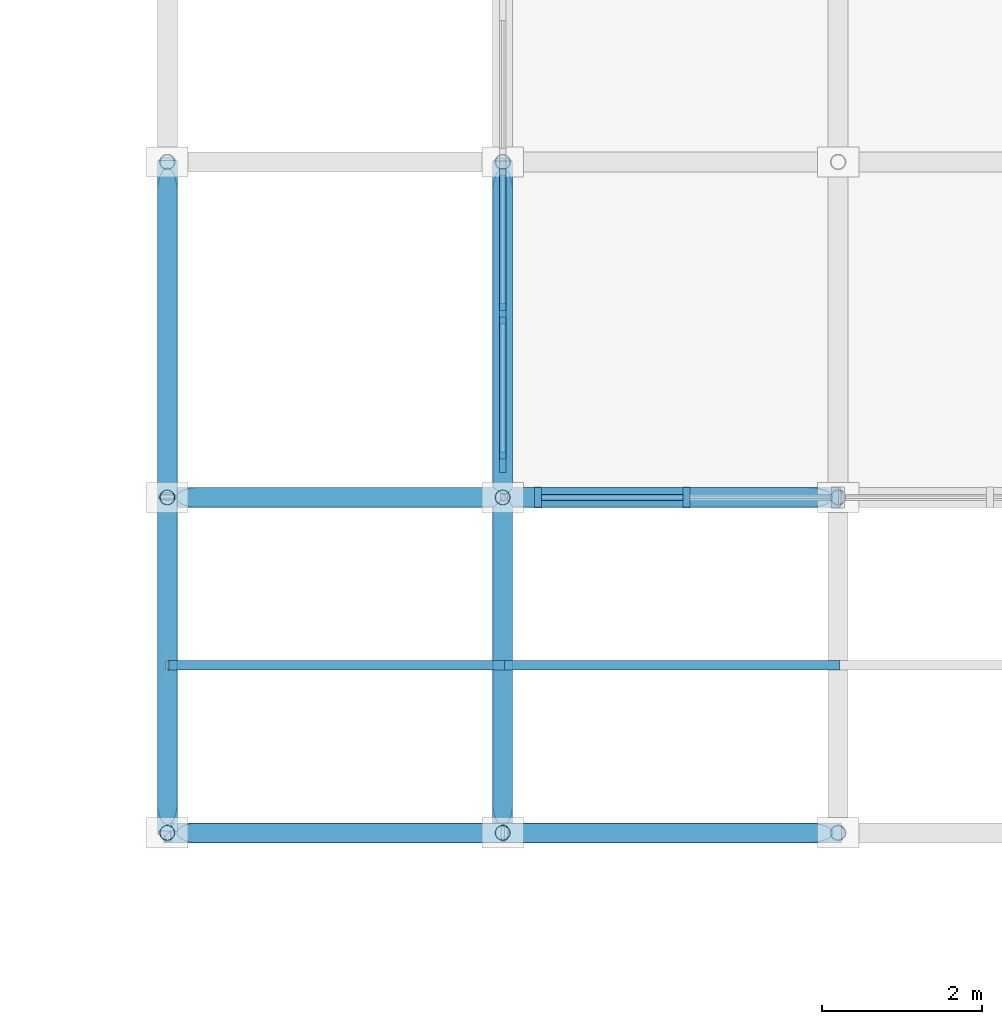
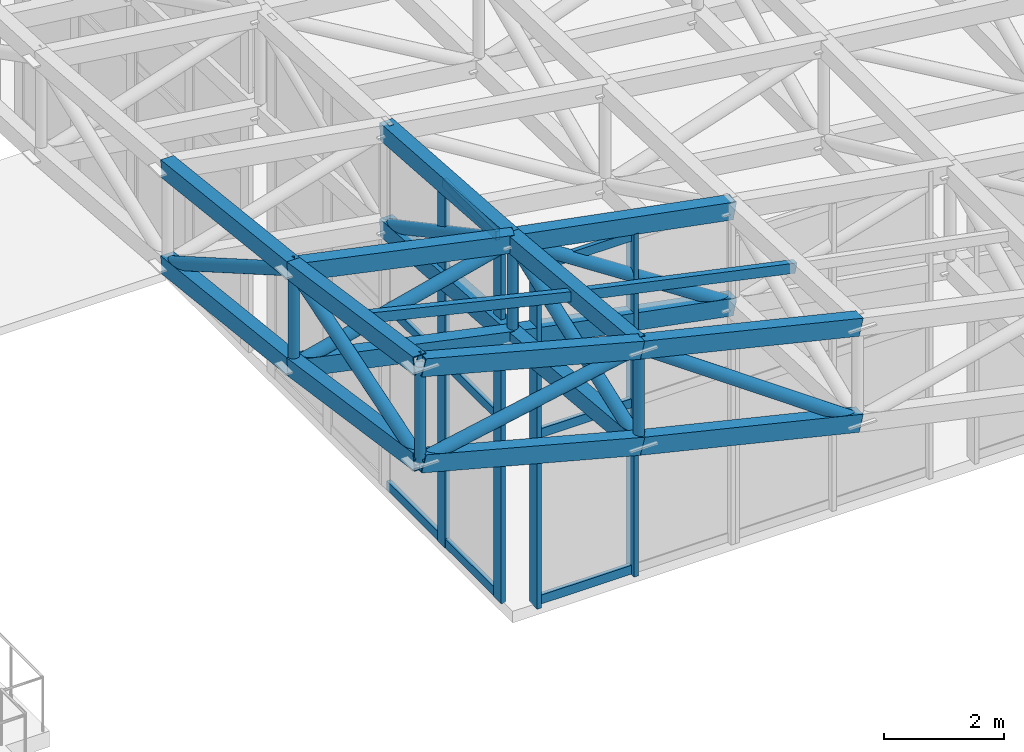
# One storey, part 19 of 111: 43 members, 2 elements without a shape of their own.
"""IFC4 building model written with IfcOpenShell, lengths in metres."""

from ifc_helpers import new_model, si_unit, direction, frame, origin, origin_2d, place, context, subcontext, project, spatial, rectangle, hollow_rectangle, hollow_circle, extrude, material, material_profile, profile_set, type_object, element, aggregate, save


model = new_model("IFC4")

# Units and contexts
model_context = context("Model", 3, precision=1e-05, world=origin(), true_north=direction((0.0, 1.0)))
body_context = subcontext(model_context, "Body", "Model", "MODEL_VIEW")
ifc_project = project(units=[si_unit("LENGTHUNIT", "METRE"), si_unit("AREAUNIT", "SQUARE_METRE"), si_unit("VOLUMEUNIT", "CUBIC_METRE"), si_unit("PLANEANGLEUNIT", "RADIAN"), si_unit("MASSUNIT", "GRAM", prefix="KILO")], contexts=[model_context])

# Site, building, storey
site_placement = place(None, origin())
site = spatial("IfcSite", under=ifc_project, at=site_placement, CompositionType="ELEMENT")
building_placement = place(site_placement, origin())
building = spatial("IfcBuilding", under=site, at=building_placement, Name="Cumbredor Promenade Congress Hotel", CompositionType="ELEMENT")
storey_placement = place(building_placement, frame((0.0, 0.0, 15.1201171875)))
storey = spatial("IfcBuildingStorey", under=building, at=storey_placement, Name="L04", CompositionType="ELEMENT", Elevation=15.1201171875)

# Curtain wall, members
ifc_material_1 = material(Name="Thermally broken anodized aluminium and low-E glass", Category="aluminium")
curtain_wall_type = type_object("IfcCurtainWallType", Name="Stepped Pavilion Clerestory Curtain Wall CW-06", PredefinedType="NOTDEFINED", material=ifc_material_1)
curtain_wall_1_placement = place(storey_placement, origin())
curtain_wall_1 = element("IfcCurtainWall", 1, at=curtain_wall_1_placement, inside=storey, type_object=curtain_wall_type, Name="Pre-Function and Breakout Meeting Forum S Glazed Clerestory 1", PredefinedType="NOTDEFINED")
ifc_material_2 = material(Name="Thermally broken anodized aluminium", Category="aluminium")
ifc_material_profile_1 = material_profile(ifc_material_2, rectangle(XDim=0.0849609375, YDim=0.260009765625, at=origin_2d()), Name="ALU MULLION CLERESTORY 85x260")
ifc_profile_set_1 = profile_set([ifc_material_profile_1], Name="Thermally broken anodized aluminium")
member_type_1 = type_object("IfcMemberType", Name="Curtain Wall Mullion ML-04", PredefinedType="MULLION", material=ifc_profile_set_1)
member_1_placement = place(storey_placement, frame((92.840087890625, 84.0, -0.01806640625), z_axis=(0.0, 0.0, 1.0), x_axis=(1.0, 0.0, 0.0)))
member_1 = element("IfcMember", 2, at=member_1_placement, type_object=member_type_1, Name="Pre-Function and Breakout Meeting Forum S Glazed Clerestory 1 Mullion 1", PredefinedType="MULLION", context=body_context, shape_type="SweptSolid", body=[
    extrude(rectangle(XDim=0.0849609375, YDim=0.260009765625, at=origin_2d()), origin(), (0.0, 0.0, 1.0), 6.959228515625),
])
member_2_placement = place(storey_placement, frame((94.699951171875, 84.0, -0.01806640625), z_axis=(0.0, 0.0, 1.0), x_axis=(1.0, 0.0, 0.0)))
member_2 = element("IfcMember", 3, at=member_2_placement, type_object=member_type_1, Name="Pre-Function and Breakout Meeting Forum S Glazed Clerestory 1 Mullion 2", PredefinedType="MULLION", context=body_context, shape_type="SweptSolid", body=[
    extrude(rectangle(XDim=0.0849609375, YDim=0.260009765625, at=origin_2d()), origin(), (0.0, 0.0, 1.0), 6.959228515625),
])

curtain_wall_2_placement = place(storey_placement, origin())
curtain_wall_2 = element("IfcCurtainWall", 4, at=curtain_wall_2_placement, inside=storey, type_object=curtain_wall_type, Name="Pre-Function and Breakout Meeting Forum W Glazed Clerestory 1", PredefinedType="NOTDEFINED")
member_3_placement = place(storey_placement, frame((92.39990234375, 84.43994140625, -0.01806640625), z_axis=(0.0, 0.0, 1.0), x_axis=(1.0, 0.0, 0.0)))
member_3 = element("IfcMember", 5, at=member_3_placement, type_object=member_type_1, Name="Pre-Function and Breakout Meeting Forum W Glazed Clerestory 1 Mullion 1", PredefinedType="MULLION", context=body_context, shape_type="SweptSolid", body=[
    extrude(rectangle(XDim=0.0849609375, YDim=0.260009765625, at=origin_2d()), origin(), (0.0, 0.0, 1.0), 7.4609375),
])
member_4_placement = place(storey_placement, frame((92.39990234375, 86.300048828125, -0.01806640625), z_axis=(0.0, 0.0, 1.0), x_axis=(1.0, 0.0, 0.0)))
member_4 = element("IfcMember", 6, at=member_4_placement, type_object=member_type_1, Name="Pre-Function and Breakout Meeting Forum W Glazed Clerestory 1 Mullion 2", PredefinedType="MULLION", context=body_context, shape_type="SweptSolid", body=[
    extrude(rectangle(XDim=0.0849609375, YDim=0.260009765625, at=origin_2d()), origin(), (0.0, 0.0, 1.0), 7.4609375),
])

# Member
ifc_material_profile_2 = material_profile(ifc_material_2, rectangle(XDim=0.080078125, YDim=0.179931640625, at=origin_2d()), Name="ALU TRANSOM 80x180")
ifc_profile_set_2 = profile_set([ifc_material_profile_2], Name="Thermally broken anodized aluminium")
member_type_2 = type_object("IfcMemberType", Name="Curtain Wall Transom TR-03", PredefinedType="USERDEFINED", material=ifc_profile_set_2)
member_5_placement = place(storey_placement, frame((92.882568359375, 84.0, 0.079833984375), z_axis=(1.0, 0.0, 0.0), x_axis=(0.0, 1.0, 0.0)))
member_5 = element("IfcMember", 7, at=member_5_placement, type_object=member_type_2, Name="Pre-Function and Breakout Meeting Forum S Glazed Clerestory 1 Transom 1.1", ObjectType="TRANSOM", PredefinedType="USERDEFINED", context=body_context, shape_type="SweptSolid", body=[
    extrude(rectangle(XDim=0.080078125, YDim=0.179931640625, at=origin_2d()), origin(), (0.0, 0.0, 1.0), 1.77490234375),
])

member_6_placement = place(storey_placement, frame((92.882568359375, 84.0, 3.4599609375), z_axis=(1.0, 0.0, 0.0), x_axis=(0.0, 1.0, 0.0)))
member_6 = element("IfcMember", 8, at=member_6_placement, type_object=member_type_2, Name="Pre-Function and Breakout Meeting Forum S Glazed Clerestory 1 Transom 1.2", ObjectType="TRANSOM", PredefinedType="USERDEFINED", context=body_context, shape_type="SweptSolid", body=[
    extrude(rectangle(XDim=0.080078125, YDim=0.179931640625, at=origin_2d()), origin(), (0.0, 0.0, 1.0), 1.77490234375),
])

member_7_placement = place(storey_placement, frame((92.882568359375, 84.0, 6.83984375), z_axis=(1.0, 0.0, 0.0), x_axis=(0.0, 1.0, 0.0)))
member_7 = element("IfcMember", 9, at=member_7_placement, type_object=member_type_2, Name="Pre-Function and Breakout Meeting Forum S Glazed Clerestory 1 Transom 1.3", ObjectType="TRANSOM", PredefinedType="USERDEFINED", context=body_context, shape_type="SweptSolid", body=[
    extrude(rectangle(XDim=0.080078125, YDim=0.179931640625, at=origin_2d()), origin(), (0.0, 0.0, 1.0), 1.77490234375),
])

aggregate(curtain_wall_1, [member_1, member_2, member_5, member_6, member_7])

member_8_placement = place(storey_placement, frame((92.39990234375, 84.482421875, 0.079833984375), z_axis=(0.0, 1.0, 0.0), x_axis=(-1.0, 0.0, 0.0)))
member_8 = element("IfcMember", 10, at=member_8_placement, type_object=member_type_2, Name="Pre-Function and Breakout Meeting Forum W Glazed Clerestory 1 Transom 1.1", ObjectType="TRANSOM", PredefinedType="USERDEFINED", context=body_context, shape_type="SweptSolid", body=[
    extrude(rectangle(XDim=0.080078125, YDim=0.179931640625, at=origin_2d()), origin(), (0.0, 0.0, 1.0), 1.775146484375),
])

member_9_placement = place(storey_placement, frame((92.39990234375, 84.482421875, 3.7099609375), z_axis=(0.0, 1.0, 0.0), x_axis=(-1.0, 0.0, 0.0)))
member_9 = element("IfcMember", 11, at=member_9_placement, type_object=member_type_2, Name="Pre-Function and Breakout Meeting Forum W Glazed Clerestory 1 Transom 1.2", ObjectType="TRANSOM", PredefinedType="USERDEFINED", context=body_context, shape_type="SweptSolid", body=[
    extrude(rectangle(XDim=0.080078125, YDim=0.179931640625, at=origin_2d()), origin(), (0.0, 0.0, 1.0), 1.775146484375),
])

member_10_placement = place(storey_placement, frame((92.39990234375, 84.482421875, 7.33984375), z_axis=(0.0, 1.0, 0.0), x_axis=(-1.0, 0.0, 0.0)))
member_10 = element("IfcMember", 12, at=member_10_placement, type_object=member_type_2, Name="Pre-Function and Breakout Meeting Forum W Glazed Clerestory 1 Transom 1.3", ObjectType="TRANSOM", PredefinedType="USERDEFINED", context=body_context, shape_type="SweptSolid", body=[
    extrude(rectangle(XDim=0.080078125, YDim=0.179931640625, at=origin_2d()), origin(), (0.0, 0.0, 1.0), 1.775146484375),
])

member_11_placement = place(storey_placement, frame((92.39990234375, 86.342529296875, 0.079833984375), z_axis=(0.0, 1.0, 0.0), x_axis=(-1.0, 0.0, 0.0)))
member_11 = element("IfcMember", 13, at=member_11_placement, type_object=member_type_2, Name="Pre-Function and Breakout Meeting Forum W Glazed Clerestory 1 Transom 2.1", ObjectType="TRANSOM", PredefinedType="USERDEFINED", context=body_context, shape_type="SweptSolid", body=[
    extrude(rectangle(XDim=0.080078125, YDim=0.179931640625, at=origin_2d()), origin(), (0.0, 0.0, 1.0), 1.77490234375),
])

member_12_placement = place(storey_placement, frame((92.39990234375, 86.342529296875, 3.7099609375), z_axis=(0.0, 1.0, 0.0), x_axis=(-1.0, 0.0, 0.0)))
member_12 = element("IfcMember", 14, at=member_12_placement, type_object=member_type_2, Name="Pre-Function and Breakout Meeting Forum W Glazed Clerestory 1 Transom 2.2", ObjectType="TRANSOM", PredefinedType="USERDEFINED", context=body_context, shape_type="SweptSolid", body=[
    extrude(rectangle(XDim=0.080078125, YDim=0.179931640625, at=origin_2d()), origin(), (0.0, 0.0, 1.0), 1.77490234375),
])

member_13_placement = place(storey_placement, frame((92.39990234375, 86.342529296875, 7.33984375), z_axis=(0.0, 1.0, 0.0), x_axis=(-1.0, 0.0, 0.0)))
member_13 = element("IfcMember", 15, at=member_13_placement, type_object=member_type_2, Name="Pre-Function and Breakout Meeting Forum W Glazed Clerestory 1 Transom 2.3", ObjectType="TRANSOM", PredefinedType="USERDEFINED", context=body_context, shape_type="SweptSolid", body=[
    extrude(rectangle(XDim=0.080078125, YDim=0.179931640625, at=origin_2d()), origin(), (0.0, 0.0, 1.0), 1.77490234375),
])

aggregate(curtain_wall_2, [member_3, member_4, member_8, member_9, member_10, member_11, member_12, member_13])

# Members
ifc_material_3 = material(Name="Steel ASTM A500 Grade C", Category="steel")
ifc_material_profile_3 = material_profile(ifc_material_3, hollow_rectangle(XDim=0.25, YDim=0.35009765625, WallThickness=0.01611328125, at=origin_2d()), Name="HSS 350x250x16")
ifc_profile_set_3 = profile_set([ifc_material_profile_3], Name="Steel ASTM A500 Grade C")
member_type_3 = type_object("IfcMemberType", Name="Forum Roof Truss Chord", PredefinedType="CHORD", material=ifc_profile_set_3)
for number, where, z_axis, x_axis, name in (
    (16, (88.199951171875, 79.800048828125, 9.037353515625), (0.966757134539, 0.0, -0.255696387964), (0.0, 1.0, 0.0), "Pre-Function and Breakout Meeting Forum X Top Chord 1.1"),
    (17, (88.199951171875, 79.800048828125, 7.08740234375), (0.966757134539, 0.0, -0.255696387964), (0.0, 1.0, 0.0), "Pre-Function and Breakout Meeting Forum X Bottom Chord 1.1"),
):
    element("IfcMember", number, at=place(storey_placement, frame(where, z_axis=z_axis, x_axis=x_axis)), inside=storey, type_object=member_type_3, Name=name, PredefinedType="CHORD", context=body_context, shape_type="SweptSolid", body=[
        extrude(hollow_rectangle(XDim=0.25, YDim=0.35009765625, WallThickness=0.01611328125, at=origin_2d()), origin(), (0.0, 0.0, 1.0), 4.344482421875),
    ])
for number, where, z_axis, x_axis, name in (
    (18, (92.39990234375, 79.800048828125, 7.926513671875), (0.972668339164, 0.0, -0.232198841487), (0.0, 1.0, 0.0), "Pre-Function and Breakout Meeting Forum X Top Chord 2.1"),
    (19, (92.39990234375, 79.800048828125, 5.9765625), (0.972668339164, 0.0, -0.232198841487), (0.0, 1.0, 0.0), "Pre-Function and Breakout Meeting Forum X Bottom Chord 2.1"),
):
    element("IfcMember", number, at=place(storey_placement, frame(where, z_axis=z_axis, x_axis=x_axis)), inside=storey, type_object=member_type_3, Name=name, PredefinedType="CHORD", context=body_context, shape_type="SweptSolid", body=[
        extrude(hollow_rectangle(XDim=0.25, YDim=0.35009765625, WallThickness=0.01611328125, at=origin_2d()), origin(), (0.0, 0.0, 1.0), 4.318115234375),
    ])
for number, where, z_axis, x_axis, name in (
    (20, (88.199951171875, 84.0, 8.4267578125), (0.978408349995, 0.0, -0.206681157001), (0.0, 1.0, 0.0), "Pre-Function and Breakout Meeting Forum X Top Chord 1.2"),
    (21, (88.199951171875, 84.0, 6.476806640625), (0.978408349995, 0.0, -0.206681157001), (0.0, 1.0, 0.0), "Pre-Function and Breakout Meeting Forum X Bottom Chord 1.2"),
):
    element("IfcMember", number, at=place(storey_placement, frame(where, z_axis=z_axis, x_axis=x_axis)), inside=storey, type_object=member_type_3, Name=name, PredefinedType="CHORD", context=body_context, shape_type="SweptSolid", body=[
        extrude(hollow_rectangle(XDim=0.25, YDim=0.35009765625, WallThickness=0.01611328125, at=origin_2d()), origin(), (0.0, 0.0, 1.0), 4.292724609375),
    ])
for number, where, z_axis, x_axis, name in (
    (22, (92.39990234375, 84.0, 7.53955078125), (0.982369540052, 0.0, -0.186949423049), (0.0, 1.0, 0.0), "Pre-Function and Breakout Meeting Forum X Top Chord 2.2"),
    (23, (92.39990234375, 84.0, 5.589599609375), (0.982369540052, 0.0, -0.186949423049), (0.0, 1.0, 0.0), "Pre-Function and Breakout Meeting Forum X Bottom Chord 2.2"),
):
    element("IfcMember", number, at=place(storey_placement, frame(where, z_axis=z_axis, x_axis=x_axis)), inside=storey, type_object=member_type_3, Name=name, PredefinedType="CHORD", context=body_context, shape_type="SweptSolid", body=[
        extrude(hollow_rectangle(XDim=0.25, YDim=0.35009765625, WallThickness=0.01611328125, at=origin_2d()), origin(), (0.0, 0.0, 1.0), 4.275634765625),
    ])
for number, where, z_axis, x_axis, name in (
    (24, (88.199951171875, 79.800048828125, 9.037353515625), (0.0, 0.989596716338, -0.143869173258), (-1.0, 0.0, 0.0), "Pre-Function and Breakout Meeting Forum Y Top Chord 1.1"),
    (25, (88.199951171875, 79.800048828125, 7.08740234375), (0.0, 0.989596716338, -0.143869173258), (-1.0, 0.0, 0.0), "Pre-Function and Breakout Meeting Forum Y Bottom Chord 1.1"),
):
    element("IfcMember", number, at=place(storey_placement, frame(where, z_axis=z_axis, x_axis=x_axis)), inside=storey, type_object=member_type_3, Name=name, PredefinedType="CHORD", context=body_context, shape_type="SweptSolid", body=[
        extrude(hollow_rectangle(XDim=0.25, YDim=0.35009765625, WallThickness=0.01611328125, at=origin_2d()), origin(), (0.0, 0.0, 1.0), 4.244140625),
    ])
for number, where, z_axis, x_axis, name in (
    (26, (88.199951171875, 84.0, 8.4267578125), (0.0, 0.993720642915, -0.111889605611), (-1.0, 0.0, 0.0), "Pre-Function and Breakout Meeting Forum Y Top Chord 1.2"),
    (27, (88.199951171875, 84.0, 6.476806640625), (0.0, 0.993714218671, -0.11194664627), (-1.0, 0.0, 0.0), "Pre-Function and Breakout Meeting Forum Y Bottom Chord 1.2"),
):
    element("IfcMember", number, at=place(storey_placement, frame(where, z_axis=z_axis, x_axis=x_axis)), inside=storey, type_object=member_type_3, Name=name, PredefinedType="CHORD", context=body_context, shape_type="SweptSolid", body=[
        extrude(hollow_rectangle(XDim=0.25, YDim=0.35009765625, WallThickness=0.01611328125, at=origin_2d()), origin(), (0.0, 0.0, 1.0), 4.2265625),
    ])
for number, where, z_axis, x_axis, name in (
    (28, (92.39990234375, 79.800048828125, 7.926513671875), (0.0, 0.995782395469, -0.091746503332), (-1.0, 0.0, 0.0), "Pre-Function and Breakout Meeting Forum Y Top Chord 2.1"),
    (29, (92.39990234375, 79.800048828125, 5.9765625), (0.0, 0.995782395469, -0.091746503332), (-1.0, 0.0, 0.0), "Pre-Function and Breakout Meeting Forum Y Bottom Chord 2.1"),
):
    element("IfcMember", number, at=place(storey_placement, frame(where, z_axis=z_axis, x_axis=x_axis)), inside=storey, type_object=member_type_3, Name=name, PredefinedType="CHORD", context=body_context, shape_type="SweptSolid", body=[
        extrude(hollow_rectangle(XDim=0.25, YDim=0.35009765625, WallThickness=0.01611328125, at=origin_2d()), origin(), (0.0, 0.0, 1.0), 4.2177734375),
    ])
for number, where, z_axis, x_axis, name in (
    (30, (92.39990234375, 84.0, 7.53955078125), (0.0, 0.997498863978, -0.070682503935), (-1.0, 0.0, 0.0), "Pre-Function and Breakout Meeting Forum Y Top Chord 2.2"),
    (31, (92.39990234375, 84.0, 5.589599609375), (0.0, 0.997498863978, -0.070682503935), (-1.0, 0.0, 0.0), "Pre-Function and Breakout Meeting Forum Y Bottom Chord 2.2"),
):
    element("IfcMember", number, at=place(storey_placement, frame(where, z_axis=z_axis, x_axis=x_axis)), inside=storey, type_object=member_type_3, Name=name, PredefinedType="CHORD", context=body_context, shape_type="SweptSolid", body=[
        extrude(hollow_rectangle(XDim=0.25, YDim=0.35009765625, WallThickness=0.01611328125, at=origin_2d()), origin(), (0.0, 0.0, 1.0), 4.21044921875),
    ])
ifc_material_profile_4 = material_profile(ifc_material_3, hollow_rectangle(XDim=0.1201171875, YDim=0.199951171875, WallThickness=0.010009765625, at=origin_2d()), Name="HSS 200x120x10")
ifc_profile_set_4 = profile_set([ifc_material_profile_4], Name="Steel ASTM A500 Grade C")
member_type_4 = type_object("IfcMemberType", Name="Roof Purlin HSS200x120", PredefinedType="PURLIN", material=ifc_profile_set_4)
member_14_placement = place(storey_placement, frame((88.199951171875, 81.89990234375, 8.712158203125), z_axis=(0.972843821501, 0.0, -0.231462521735), x_axis=(0.0, 1.0, 0.0)))
element("IfcMember", 32, at=member_14_placement, inside=storey, type_object=member_type_4, Name="Pre-Function and Breakout Meeting Forum Roof Eave Purlin 1.1", PredefinedType="PURLIN", context=body_context, shape_type="SweptSolid", body=[
    extrude(hollow_rectangle(XDim=0.1201171875, YDim=0.199951171875, WallThickness=0.010009765625, at=origin_2d()), origin(), (0.0, 0.0, 1.0), 4.317138671875),
])
member_15_placement = place(storey_placement, frame((92.39990234375, 81.89990234375, 7.712890625), z_axis=(0.977762474304, 0.0, -0.209715387711), x_axis=(0.0, 1.0, 0.0)))
element("IfcMember", 33, at=member_15_placement, inside=storey, type_object=member_type_4, Name="Pre-Function and Breakout Meeting Forum Roof Eave Purlin 2.1", PredefinedType="PURLIN", context=body_context, shape_type="SweptSolid", body=[
    extrude(hollow_rectangle(XDim=0.1201171875, YDim=0.199951171875, WallThickness=0.010009765625, at=origin_2d()), origin(), (0.0, 0.0, 1.0), 4.295654296875),
])
ifc_material_profile_5 = material_profile(ifc_material_3, hollow_circle(Radius=0.122314453125, WallThickness=0.012451171875, at=origin_2d()), Name="CHS 244.5x12.5")
ifc_profile_set_5 = profile_set([ifc_material_profile_5], Name="Steel ASTM A500 Grade C")
member_type_5 = type_object("IfcMemberType", Name="Space Frame Web Diagonal D2", PredefinedType="BRACE", material=ifc_profile_set_5)
member_16_placement = place(storey_placement, frame((88.199951171875, 79.800048828125, 7.08740234375), z_axis=(0.980620119353, 0.0, 0.195918813592), x_axis=(0.0, 1.0, 0.0)))
element("IfcMember", 34, at=member_16_placement, inside=storey, type_object=member_type_5, Name="Pre-Function and Breakout Meeting Forum X Web Diagonal 1.1", PredefinedType="BRACE", context=body_context, shape_type="SweptSolid", body=[
    extrude(hollow_circle(Radius=0.122314453125, WallThickness=0.012451171875, at=origin_2d()), origin(), (0.0, 0.0, 1.0), 4.282958984375),
])
member_17_placement = place(storey_placement, frame((92.39990234375, 79.800048828125, 7.926513671875), z_axis=(0.818086487203, 0.0, -0.575095209035), x_axis=(0.0, 1.0, 0.0)))
element("IfcMember", 35, at=member_17_placement, inside=storey, type_object=member_type_5, Name="Pre-Function and Breakout Meeting Forum X Web Diagonal 2.1", PredefinedType="BRACE", context=body_context, shape_type="SweptSolid", body=[
    extrude(hollow_circle(Radius=0.122314453125, WallThickness=0.012451171875, at=origin_2d()), origin(), (0.0, 0.0, 1.0), 5.13427734375),
])
member_18_placement = place(storey_placement, frame((88.199951171875, 84.0, 6.476806640625), z_axis=(0.969445727993, 0.0, 0.245305891644), x_axis=(0.0, 1.0, 0.0)))
element("IfcMember", 36, at=member_18_placement, inside=storey, type_object=member_type_5, Name="Pre-Function and Breakout Meeting Forum X Web Diagonal 1.2", PredefinedType="BRACE", context=body_context, shape_type="SweptSolid", body=[
    extrude(hollow_circle(Radius=0.122314453125, WallThickness=0.012451171875, at=origin_2d()), origin(), (0.0, 0.0, 1.0), 4.332275390625),
])
member_19_placement = place(storey_placement, frame((92.39990234375, 84.0, 7.53955078125), z_axis=(0.836697059794, 0.0, -0.547665984093), x_axis=(0.0, 1.0, 0.0)))
element("IfcMember", 37, at=member_19_placement, inside=storey, type_object=member_type_5, Name="Pre-Function and Breakout Meeting Forum X Web Diagonal 2.2", PredefinedType="BRACE", context=body_context, shape_type="SweptSolid", body=[
    extrude(hollow_circle(Radius=0.122314453125, WallThickness=0.012451171875, at=origin_2d()), origin(), (0.0, 0.0, 1.0), 5.02001953125),
])
member_20_placement = place(storey_placement, frame((88.199951171875, 79.800048828125, 7.08740234375), z_axis=(0.0, 0.95272847028, 0.30382307667), x_axis=(-1.0, 0.0, 0.0)))
element("IfcMember", 38, at=member_20_placement, inside=storey, type_object=member_type_5, Name="Pre-Function and Breakout Meeting Forum Y Web Diagonal 1.1", PredefinedType="BRACE", context=body_context, shape_type="SweptSolid", body=[
    extrude(hollow_circle(Radius=0.122314453125, WallThickness=0.012451171875, at=origin_2d()), origin(), (0.0, 0.0, 1.0), 4.408447265625),
])
member_21_placement = place(storey_placement, frame((88.199951171875, 84.0, 8.4267578125), z_axis=(0.0, 0.866181394792, -0.499729718265), x_axis=(-1.0, 0.0, 0.0)))
element("IfcMember", 39, at=member_21_placement, inside=storey, type_object=member_type_5, Name="Pre-Function and Breakout Meeting Forum Y Web Diagonal 1.2", PredefinedType="BRACE", context=body_context, shape_type="SweptSolid", body=[
    extrude(hollow_circle(Radius=0.122314453125, WallThickness=0.012451171875, at=origin_2d()), origin(), (0.0, 0.0, 1.0), 4.848876953125),
])
member_22_placement = place(storey_placement, frame((92.39990234375, 79.800048828125, 5.9765625), z_axis=(0.0, 0.937206114536, 0.348776001003), x_axis=(-1.0, 0.0, 0.0)))
element("IfcMember", 40, at=member_22_placement, inside=storey, type_object=member_type_5, Name="Pre-Function and Breakout Meeting Forum Y Web Diagonal 2.1", PredefinedType="BRACE", context=body_context, shape_type="SweptSolid", body=[
    extrude(hollow_circle(Radius=0.122314453125, WallThickness=0.012451171875, at=origin_2d()), origin(), (0.0, 0.0, 1.0), 4.4814453125),
])
member_23_placement = place(storey_placement, frame((92.39990234375, 84.0, 7.53955078125), z_axis=(0.0, 0.881690935242, -0.471827399281), x_axis=(-1.0, 0.0, 0.0)))
element("IfcMember", 41, at=member_23_placement, inside=storey, type_object=member_type_5, Name="Pre-Function and Breakout Meeting Forum Y Web Diagonal 2.2", PredefinedType="BRACE", context=body_context, shape_type="SweptSolid", body=[
    extrude(hollow_circle(Radius=0.122314453125, WallThickness=0.012451171875, at=origin_2d()), origin(), (0.0, 0.0, 1.0), 4.763427734375),
])
ifc_material_profile_6 = material_profile(ifc_material_3, hollow_circle(Radius=0.096923828125, WallThickness=0.010009765625, at=origin_2d()), Name="CHS 193.7x10")
ifc_profile_set_6 = profile_set([ifc_material_profile_6], Name="Steel ASTM A500 Grade C")
member_type_6 = type_object("IfcMemberType", Name="Space Frame Web Post P1", PredefinedType="BRACE", material=ifc_profile_set_6)
for number, where, z_axis, x_axis, name in (
    (42, (88.199951171875, 79.800048828125, 7.08740234375), (0.0, 0.0, 1.0), (1.0, 0.0, 0.0), "Pre-Function and Breakout Meeting Forum Space Frame Web Post 1.1"),
    (43, (88.199951171875, 84.0, 6.476806640625), (0.0, 0.0, 1.0), (1.0, 0.0, 0.0), "Pre-Function and Breakout Meeting Forum Space Frame Web Post 1.2"),
    (44, (92.39990234375, 79.800048828125, 5.9765625), (0.0, 0.0, 1.0), (1.0, 0.0, 0.0), "Pre-Function and Breakout Meeting Forum Space Frame Web Post 2.1"),
    (45, (92.39990234375, 84.0, 5.589599609375), (0.0, 0.0, 1.0), (1.0, 0.0, 0.0), "Pre-Function and Breakout Meeting Forum Space Frame Web Post 2.2"),
):
    element("IfcMember", number, at=place(storey_placement, frame(where, z_axis=z_axis, x_axis=x_axis)), inside=storey, type_object=member_type_6, Name=name, PredefinedType="BRACE", context=body_context, shape_type="SweptSolid", body=[
        extrude(hollow_circle(Radius=0.096923828125, WallThickness=0.010009765625, at=origin_2d()), origin(), (0.0, 0.0, 1.0), 1.949951171875),
    ])

save(model, "model.ifc")
